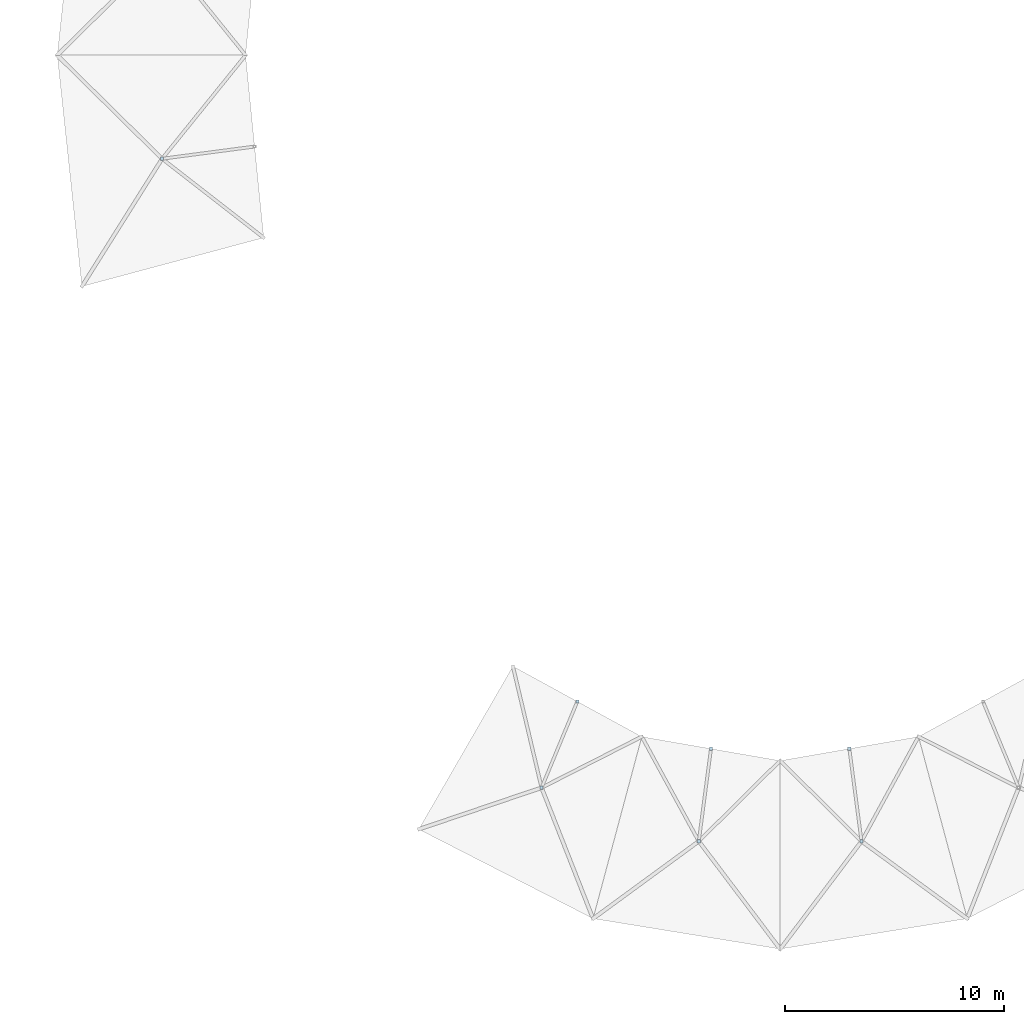
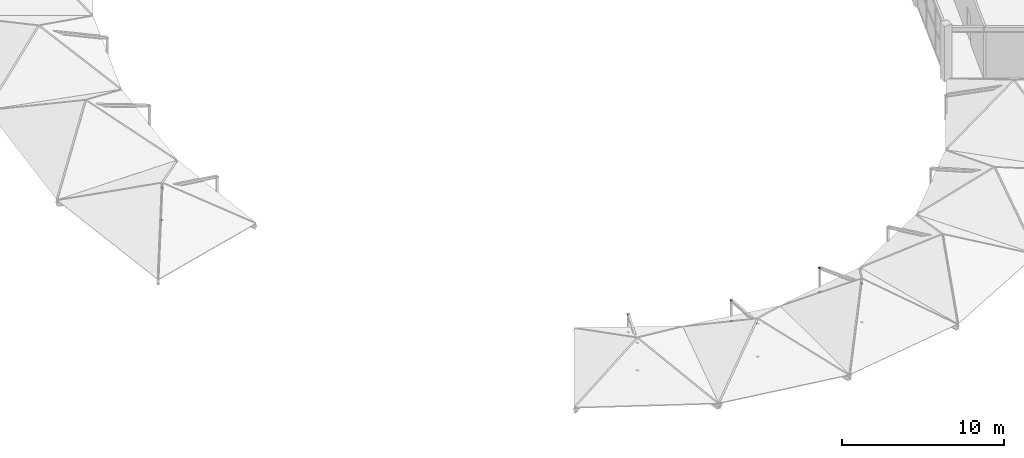
# One storey, part 49 of 66: 14 plates.
"""IFC4 building model written with IfcOpenShell, lengths in metres."""

from ifc_helpers import new_model, si_unit, direction, frame, origin, origin_2d, place, context, subcontext, project, spatial, rectangle, extrude, material, layer, layer_set, type_object, element, save


model = new_model("IFC4")

# Units and contexts
model_context = context("Model", 3, precision=1e-05, world=origin(), true_north=direction((0.0, 1.0)))
body_context = subcontext(model_context, "Body", "Model", "MODEL_VIEW")
ifc_project = project(units=[si_unit("LENGTHUNIT", "METRE"), si_unit("AREAUNIT", "SQUARE_METRE"), si_unit("VOLUMEUNIT", "CUBIC_METRE"), si_unit("PLANEANGLEUNIT", "RADIAN"), si_unit("MASSUNIT", "GRAM", prefix="KILO")], contexts=[model_context])

# Site, building, storey
site_placement = place(None, origin())
site = spatial("IfcSite", under=ifc_project, at=site_placement, CompositionType="ELEMENT")
building_placement = place(site_placement, origin())
building = spatial("IfcBuilding", under=site, at=building_placement, Name="Karori Crest Natural Sciences Institute", CompositionType="ELEMENT")
storey_placement = place(building_placement, frame((0.0, 0.0, 30.10009765625)))
storey = spatial("IfcBuildingStorey", under=building, at=storey_placement, Name="L07", CompositionType="ELEMENT", Elevation=30.10009765625)

# Plates
ifc_material = material(Name="Structural steel AS/NZS 3679.1 Grade 350", Category="steel")
ifc_layer = layer(ifc_material, 0.02490234375, Name="Structural steel AS/NZS 3679.1 Grade 350")
ifc_layer_set = layer_set([ifc_layer], Name="Structural steel AS/NZS 3679.1 Grade 350")
plate_type = type_object("IfcPlateType", Name="PLT-06-EL", PredefinedType="SHEET", material=ifc_layer_set)
for number, where, z_axis, x_axis, name in (
    (1, (38.18896484375, 45.176513671875, -0.27001953125), (0.0, 0.0, 1.0), (1.0, 0.0, 0.0), "Hollow section end cap EP-0105"),
    (2, (38.18896484375, 45.176513671875, 2.14892578125), (0.0, 0.0, 1.0), (1.0, 0.0, 0.0), "Hollow section end cap EP-0106"),
    (3, (55.510986328125, 16.466796875, -0.27001953125), (0.0, 0.0, 1.0), (1.0, 0.0, 0.0), "Hollow section end cap EP-0121"),
    (4, (55.510986328125, 16.466796875, 1.806884765625), (0.0, 0.0, 1.0), (1.0, 0.0, 0.0), "Hollow section end cap EP-0122"),
    (5, (57.142333984375, 20.405517578125, -0.34814453125), (0.0, 0.0, 1.0), (1.0, 0.0, 0.0), "Hollow section end cap EP-0123"),
    (6, (57.142333984375, 20.405517578125, 0.9990234375), (0.0, 0.0, 1.0), (1.0, 0.0, 0.0), "Hollow section end cap EP-0124"),
    (7, (62.68603515625, 14.02197265625, -0.27001953125), (0.0, 0.0, 1.0), (1.0, 0.0, 0.0), "Hollow section end cap EP-0125"),
    (8, (62.68603515625, 14.02197265625, 2.22998046875), (0.0, 0.0, 1.0), (1.0, 0.0, 0.0), "Hollow section end cap EP-0126"),
    (9, (63.242431640625, 18.24853515625, -0.34814453125), (0.0, 0.0, 1.0), (1.0, 0.0, 0.0), "Hollow section end cap EP-0127"),
    (10, (63.242431640625, 18.24853515625, 1.22998046875), (0.0, 0.0, 1.0), (1.0, 0.0, 0.0), "Hollow section end cap EP-0128"),
    (11, (70.114013671875, 14.02197265625, -0.27001953125), (0.0, 0.0, 1.0), (1.0, 0.0, 0.0), "Hollow section end cap EP-0129"),
    (12, (70.114013671875, 14.02197265625, 2.65283203125), (0.0, 0.0, 1.0), (1.0, 0.0, 0.0), "Hollow section end cap EP-0130"),
    (13, (69.5576171875, 18.24853515625, -0.34814453125), (0.0, 0.0, 1.0), (1.0, 0.0, 0.0), "Hollow section end cap EP-0131"),
    (14, (69.5576171875, 18.24853515625, 1.4609375), (0.0, 0.0, 1.0), (1.0, 0.0, 0.0), "Hollow section end cap EP-0132"),
):
    element("IfcPlate", number, at=place(storey_placement, frame(where, z_axis=z_axis, x_axis=x_axis)), inside=storey, type_object=plate_type, Name=name, PredefinedType="SHEET", context=body_context, shape_type="SweptSolid", body=[
        extrude(rectangle(XDim=0.14501953125, YDim=0.14501953125, at=origin_2d()), origin(), (0.0, 0.0, 1.0), 0.02490234375),
    ])

save(model, "model.ifc")
